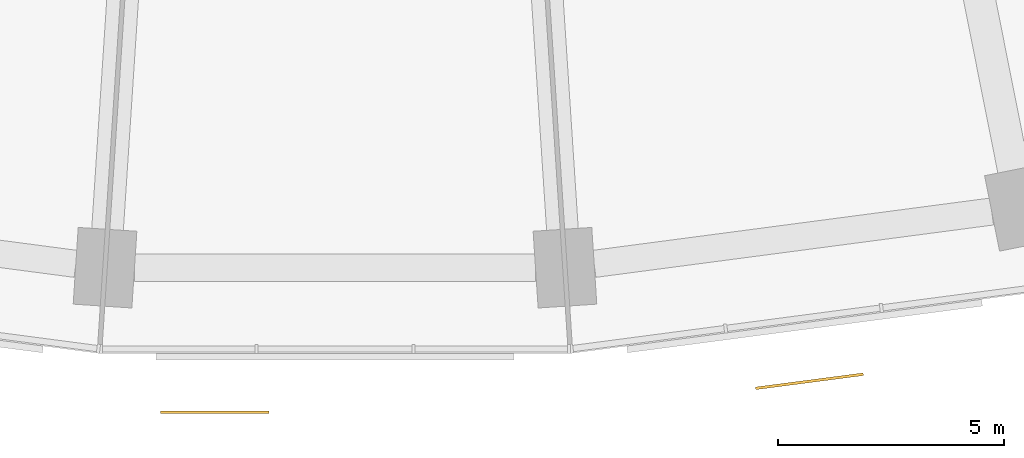
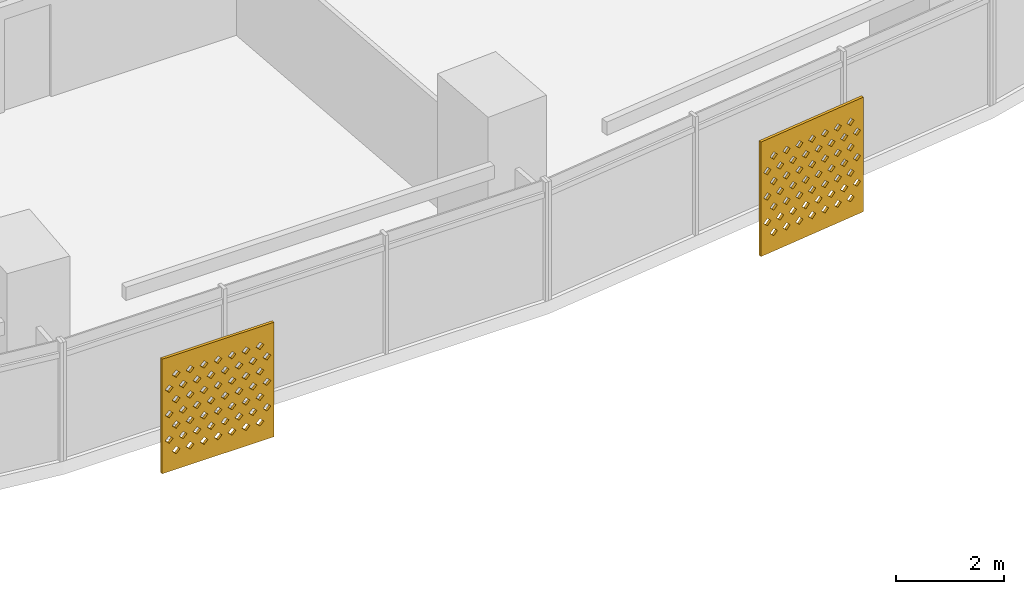
# One storey, part 28 of 31: 2 shading devices.
"""IFC4 building model written with IfcOpenShell, lengths in metres."""

from ifc_helpers import new_model, si_unit, direction, frame, origin, place, context, subcontext, project, spatial, polyline, outline, extrude, material, material_profile, profile_set, type_object, element, save


model = new_model("IFC4")

# Units and contexts
model_context = context("Model", 3, precision=1e-05, world=origin(), true_north=direction((0.0, 1.0)))
body_context = subcontext(model_context, "Body", "Model", "MODEL_VIEW")
ifc_project = project(units=[si_unit("LENGTHUNIT", "METRE"), si_unit("AREAUNIT", "SQUARE_METRE"), si_unit("VOLUMEUNIT", "CUBIC_METRE"), si_unit("PLANEANGLEUNIT", "RADIAN"), si_unit("MASSUNIT", "GRAM", prefix="KILO")], contexts=[model_context])

# Site, building, storey
site_placement = place(None, origin())
site = spatial("IfcSite", under=ifc_project, at=site_placement, CompositionType="ELEMENT")
building_placement = place(site_placement, origin())
building = spatial("IfcBuilding", under=site, at=building_placement, Name="Qamariyya Broadcast Tower", CompositionType="ELEMENT")
storey_placement = place(building_placement, frame((0.0, 0.0, 82.300048828125)))
storey = spatial("IfcBuildingStorey", under=building, at=storey_placement, Name="L17", CompositionType="ELEMENT", Elevation=82.300048828125)

# Shading devices
ifc_material = material(Name="Perforated glazed terracotta", Category="masonry")
ifc_material_profile = material_profile(ifc_material, outline(polyline([(-1.199951171875, -1.300048828125), (1.199951171875, -1.300048828125), (1.199951171875, 1.300048828125), (-1.199951171875, 1.300048828125), (-1.199951171875, -1.300048828125)]), holes=[polyline([(-0.81494140625, -0.86669921875), (-0.89990234375, -0.78173828125), (-0.985107421875, -0.86669921875), (-0.89990234375, -0.95166015625), (-0.81494140625, -0.86669921875)]), polyline([(-0.514892578125, -0.86669921875), (-0.60009765625, -0.78173828125), (-0.68505859375, -0.86669921875), (-0.60009765625, -0.95166015625), (-0.514892578125, -0.86669921875)]), polyline([(-0.215087890625, -0.86669921875), (-0.300048828125, -0.78173828125), (-0.385009765625, -0.86669921875), (-0.300048828125, -0.95166015625), (-0.215087890625, -0.86669921875)]), polyline([(0.0849609375, -0.86669921875), (0.0, -0.78173828125), (-0.0849609375, -0.86669921875), (0.0, -0.95166015625), (0.0849609375, -0.86669921875)]), polyline([(0.385009765625, -0.86669921875), (0.300048828125, -0.78173828125), (0.215087890625, -0.86669921875), (0.300048828125, -0.95166015625), (0.385009765625, -0.86669921875)]), polyline([(0.68505859375, -0.86669921875), (0.60009765625, -0.78173828125), (0.514892578125, -0.86669921875), (0.60009765625, -0.95166015625), (0.68505859375, -0.86669921875)]), polyline([(0.985107421875, -0.86669921875), (0.89990234375, -0.78173828125), (0.81494140625, -0.86669921875), (0.89990234375, -0.95166015625), (0.985107421875, -0.86669921875)]), polyline([(-0.965087890625, -0.577880859375), (-1.050048828125, -0.49267578125), (-1.135009765625, -0.577880859375), (-1.050048828125, -0.662841796875), (-0.965087890625, -0.577880859375)]), polyline([(-0.6650390625, -0.577880859375), (-0.75, -0.49267578125), (-0.8349609375, -0.577880859375), (-0.75, -0.662841796875), (-0.6650390625, -0.577880859375)]), polyline([(-0.364990234375, -0.577880859375), (-0.449951171875, -0.49267578125), (-0.534912109375, -0.577880859375), (-0.449951171875, -0.662841796875), (-0.364990234375, -0.577880859375)]), polyline([(-0.06494140625, -0.577880859375), (-0.14990234375, -0.49267578125), (-0.235107421875, -0.577880859375), (-0.14990234375, -0.662841796875), (-0.06494140625, -0.577880859375)]), polyline([(0.235107421875, -0.577880859375), (0.14990234375, -0.49267578125), (0.06494140625, -0.577880859375), (0.14990234375, -0.662841796875), (0.235107421875, -0.577880859375)]), polyline([(0.534912109375, -0.577880859375), (0.449951171875, -0.49267578125), (0.364990234375, -0.577880859375), (0.449951171875, -0.662841796875), (0.534912109375, -0.577880859375)]), polyline([(0.8349609375, -0.577880859375), (0.75, -0.49267578125), (0.6650390625, -0.577880859375), (0.75, -0.662841796875), (0.8349609375, -0.577880859375)]), polyline([(1.135009765625, -0.577880859375), (1.050048828125, -0.49267578125), (0.965087890625, -0.577880859375), (1.050048828125, -0.662841796875), (1.135009765625, -0.577880859375)]), polyline([(-0.81494140625, -0.288818359375), (-0.89990234375, -0.203857421875), (-0.985107421875, -0.288818359375), (-0.89990234375, -0.373779296875), (-0.81494140625, -0.288818359375)]), polyline([(-0.514892578125, -0.288818359375), (-0.60009765625, -0.203857421875), (-0.68505859375, -0.288818359375), (-0.60009765625, -0.373779296875), (-0.514892578125, -0.288818359375)]), polyline([(-0.215087890625, -0.288818359375), (-0.300048828125, -0.203857421875), (-0.385009765625, -0.288818359375), (-0.300048828125, -0.373779296875), (-0.215087890625, -0.288818359375)]), polyline([(0.0849609375, -0.288818359375), (0.0, -0.203857421875), (-0.0849609375, -0.288818359375), (0.0, -0.373779296875), (0.0849609375, -0.288818359375)]), polyline([(0.385009765625, -0.288818359375), (0.300048828125, -0.203857421875), (0.215087890625, -0.288818359375), (0.300048828125, -0.373779296875), (0.385009765625, -0.288818359375)]), polyline([(0.68505859375, -0.288818359375), (0.60009765625, -0.203857421875), (0.514892578125, -0.288818359375), (0.60009765625, -0.373779296875), (0.68505859375, -0.288818359375)]), polyline([(0.985107421875, -0.288818359375), (0.89990234375, -0.203857421875), (0.81494140625, -0.288818359375), (0.89990234375, -0.373779296875), (0.985107421875, -0.288818359375)]), polyline([(-0.965087890625, 0.0), (-1.050048828125, 0.0849609375), (-1.135009765625, 0.0), (-1.050048828125, -0.0849609375), (-0.965087890625, 0.0)]), polyline([(-0.6650390625, 0.0), (-0.75, 0.0849609375), (-0.8349609375, 0.0), (-0.75, -0.0849609375), (-0.6650390625, 0.0)]), polyline([(-0.364990234375, 0.0), (-0.449951171875, 0.0849609375), (-0.534912109375, 0.0), (-0.449951171875, -0.0849609375), (-0.364990234375, 0.0)]), polyline([(-0.06494140625, 0.0), (-0.14990234375, 0.0849609375), (-0.235107421875, 0.0), (-0.14990234375, -0.0849609375), (-0.06494140625, 0.0)]), polyline([(0.235107421875, 0.0), (0.14990234375, 0.0849609375), (0.06494140625, 0.0), (0.14990234375, -0.0849609375), (0.235107421875, 0.0)]), polyline([(0.534912109375, 0.0), (0.449951171875, 0.0849609375), (0.364990234375, 0.0), (0.449951171875, -0.0849609375), (0.534912109375, 0.0)]), polyline([(0.8349609375, 0.0), (0.75, 0.0849609375), (0.6650390625, 0.0), (0.75, -0.0849609375), (0.8349609375, 0.0)]), polyline([(1.135009765625, 0.0), (1.050048828125, 0.0849609375), (0.965087890625, 0.0), (1.050048828125, -0.0849609375), (1.135009765625, 0.0)]), polyline([(-0.81494140625, 0.288818359375), (-0.89990234375, 0.373779296875), (-0.985107421875, 0.288818359375), (-0.89990234375, 0.203857421875), (-0.81494140625, 0.288818359375)]), polyline([(-0.514892578125, 0.288818359375), (-0.60009765625, 0.373779296875), (-0.68505859375, 0.288818359375), (-0.60009765625, 0.203857421875), (-0.514892578125, 0.288818359375)]), polyline([(-0.215087890625, 0.288818359375), (-0.300048828125, 0.373779296875), (-0.385009765625, 0.288818359375), (-0.300048828125, 0.203857421875), (-0.215087890625, 0.288818359375)]), polyline([(0.0849609375, 0.288818359375), (0.0, 0.373779296875), (-0.0849609375, 0.288818359375), (0.0, 0.203857421875), (0.0849609375, 0.288818359375)]), polyline([(0.385009765625, 0.288818359375), (0.300048828125, 0.373779296875), (0.215087890625, 0.288818359375), (0.300048828125, 0.203857421875), (0.385009765625, 0.288818359375)]), polyline([(0.68505859375, 0.288818359375), (0.60009765625, 0.373779296875), (0.514892578125, 0.288818359375), (0.60009765625, 0.203857421875), (0.68505859375, 0.288818359375)]), polyline([(0.985107421875, 0.288818359375), (0.89990234375, 0.373779296875), (0.81494140625, 0.288818359375), (0.89990234375, 0.203857421875), (0.985107421875, 0.288818359375)]), polyline([(-0.965087890625, 0.577880859375), (-1.050048828125, 0.662841796875), (-1.135009765625, 0.577880859375), (-1.050048828125, 0.49267578125), (-0.965087890625, 0.577880859375)]), polyline([(-0.6650390625, 0.577880859375), (-0.75, 0.662841796875), (-0.8349609375, 0.577880859375), (-0.75, 0.49267578125), (-0.6650390625, 0.577880859375)]), polyline([(-0.364990234375, 0.577880859375), (-0.449951171875, 0.662841796875), (-0.534912109375, 0.577880859375), (-0.449951171875, 0.49267578125), (-0.364990234375, 0.577880859375)]), polyline([(-0.06494140625, 0.577880859375), (-0.14990234375, 0.662841796875), (-0.235107421875, 0.577880859375), (-0.14990234375, 0.49267578125), (-0.06494140625, 0.577880859375)]), polyline([(0.235107421875, 0.577880859375), (0.14990234375, 0.662841796875), (0.06494140625, 0.577880859375), (0.14990234375, 0.49267578125), (0.235107421875, 0.577880859375)]), polyline([(0.534912109375, 0.577880859375), (0.449951171875, 0.662841796875), (0.364990234375, 0.577880859375), (0.449951171875, 0.49267578125), (0.534912109375, 0.577880859375)]), polyline([(0.8349609375, 0.577880859375), (0.75, 0.662841796875), (0.6650390625, 0.577880859375), (0.75, 0.49267578125), (0.8349609375, 0.577880859375)]), polyline([(1.135009765625, 0.577880859375), (1.050048828125, 0.662841796875), (0.965087890625, 0.577880859375), (1.050048828125, 0.49267578125), (1.135009765625, 0.577880859375)]), polyline([(-0.81494140625, 0.86669921875), (-0.89990234375, 0.95166015625), (-0.985107421875, 0.86669921875), (-0.89990234375, 0.78173828125), (-0.81494140625, 0.86669921875)]), polyline([(-0.514892578125, 0.86669921875), (-0.60009765625, 0.95166015625), (-0.68505859375, 0.86669921875), (-0.60009765625, 0.78173828125), (-0.514892578125, 0.86669921875)]), polyline([(-0.215087890625, 0.86669921875), (-0.300048828125, 0.95166015625), (-0.385009765625, 0.86669921875), (-0.300048828125, 0.78173828125), (-0.215087890625, 0.86669921875)]), polyline([(0.0849609375, 0.86669921875), (0.0, 0.95166015625), (-0.0849609375, 0.86669921875), (0.0, 0.78173828125), (0.0849609375, 0.86669921875)]), polyline([(0.385009765625, 0.86669921875), (0.300048828125, 0.95166015625), (0.215087890625, 0.86669921875), (0.300048828125, 0.78173828125), (0.385009765625, 0.86669921875)]), polyline([(0.68505859375, 0.86669921875), (0.60009765625, 0.95166015625), (0.514892578125, 0.86669921875), (0.60009765625, 0.78173828125), (0.68505859375, 0.86669921875)]), polyline([(0.985107421875, 0.86669921875), (0.89990234375, 0.95166015625), (0.81494140625, 0.86669921875), (0.89990234375, 0.78173828125), (0.985107421875, 0.86669921875)])]))
ifc_profile_set = profile_set([ifc_material_profile], Name="Perforated glazed terracotta")
shading_device_type = type_object("IfcShadingDeviceType", Name="Perforated terracotta screen 2400 x 2600", PredefinedType="USERDEFINED", material=ifc_profile_set)
shading_device_1_placement = place(storey_placement, frame((-2.656982421875, -80.74951171875, 1.349853515625), z_axis=(0.0, -1.0, 0.0), x_axis=(1.0, 0.0, 0.0)))
element("IfcShadingDevice", 1, at=shading_device_1_placement, inside=storey, type_object=shading_device_type, Name="e-scr-L17-08-0", ObjectType="SCREEN", PredefinedType="USERDEFINED", context=body_context, shape_type="SweptSolid", body=[
    extrude(outline(polyline([(-1.199951171875, -1.300048828125), (1.199951171875, -1.300048828125), (1.199951171875, 1.300048828125), (-1.199951171875, 1.300048828125), (-1.199951171875, -1.300048828125)]), holes=[polyline([(-0.81494140625, -0.86669921875), (-0.89990234375, -0.78173828125), (-0.985107421875, -0.86669921875), (-0.89990234375, -0.95166015625), (-0.81494140625, -0.86669921875)]), polyline([(-0.514892578125, -0.86669921875), (-0.60009765625, -0.78173828125), (-0.68505859375, -0.86669921875), (-0.60009765625, -0.95166015625), (-0.514892578125, -0.86669921875)]), polyline([(-0.215087890625, -0.86669921875), (-0.300048828125, -0.78173828125), (-0.385009765625, -0.86669921875), (-0.300048828125, -0.95166015625), (-0.215087890625, -0.86669921875)]), polyline([(0.0849609375, -0.86669921875), (0.0, -0.78173828125), (-0.0849609375, -0.86669921875), (0.0, -0.95166015625), (0.0849609375, -0.86669921875)]), polyline([(0.385009765625, -0.86669921875), (0.300048828125, -0.78173828125), (0.215087890625, -0.86669921875), (0.300048828125, -0.95166015625), (0.385009765625, -0.86669921875)]), polyline([(0.68505859375, -0.86669921875), (0.60009765625, -0.78173828125), (0.514892578125, -0.86669921875), (0.60009765625, -0.95166015625), (0.68505859375, -0.86669921875)]), polyline([(0.985107421875, -0.86669921875), (0.89990234375, -0.78173828125), (0.81494140625, -0.86669921875), (0.89990234375, -0.95166015625), (0.985107421875, -0.86669921875)]), polyline([(-0.965087890625, -0.577880859375), (-1.050048828125, -0.49267578125), (-1.135009765625, -0.577880859375), (-1.050048828125, -0.662841796875), (-0.965087890625, -0.577880859375)]), polyline([(-0.6650390625, -0.577880859375), (-0.75, -0.49267578125), (-0.8349609375, -0.577880859375), (-0.75, -0.662841796875), (-0.6650390625, -0.577880859375)]), polyline([(-0.364990234375, -0.577880859375), (-0.449951171875, -0.49267578125), (-0.534912109375, -0.577880859375), (-0.449951171875, -0.662841796875), (-0.364990234375, -0.577880859375)]), polyline([(-0.06494140625, -0.577880859375), (-0.14990234375, -0.49267578125), (-0.235107421875, -0.577880859375), (-0.14990234375, -0.662841796875), (-0.06494140625, -0.577880859375)]), polyline([(0.235107421875, -0.577880859375), (0.14990234375, -0.49267578125), (0.06494140625, -0.577880859375), (0.14990234375, -0.662841796875), (0.235107421875, -0.577880859375)]), polyline([(0.534912109375, -0.577880859375), (0.449951171875, -0.49267578125), (0.364990234375, -0.577880859375), (0.449951171875, -0.662841796875), (0.534912109375, -0.577880859375)]), polyline([(0.8349609375, -0.577880859375), (0.75, -0.49267578125), (0.6650390625, -0.577880859375), (0.75, -0.662841796875), (0.8349609375, -0.577880859375)]), polyline([(1.135009765625, -0.577880859375), (1.050048828125, -0.49267578125), (0.965087890625, -0.577880859375), (1.050048828125, -0.662841796875), (1.135009765625, -0.577880859375)]), polyline([(-0.81494140625, -0.288818359375), (-0.89990234375, -0.203857421875), (-0.985107421875, -0.288818359375), (-0.89990234375, -0.373779296875), (-0.81494140625, -0.288818359375)]), polyline([(-0.514892578125, -0.288818359375), (-0.60009765625, -0.203857421875), (-0.68505859375, -0.288818359375), (-0.60009765625, -0.373779296875), (-0.514892578125, -0.288818359375)]), polyline([(-0.215087890625, -0.288818359375), (-0.300048828125, -0.203857421875), (-0.385009765625, -0.288818359375), (-0.300048828125, -0.373779296875), (-0.215087890625, -0.288818359375)]), polyline([(0.0849609375, -0.288818359375), (0.0, -0.203857421875), (-0.0849609375, -0.288818359375), (0.0, -0.373779296875), (0.0849609375, -0.288818359375)]), polyline([(0.385009765625, -0.288818359375), (0.300048828125, -0.203857421875), (0.215087890625, -0.288818359375), (0.300048828125, -0.373779296875), (0.385009765625, -0.288818359375)]), polyline([(0.68505859375, -0.288818359375), (0.60009765625, -0.203857421875), (0.514892578125, -0.288818359375), (0.60009765625, -0.373779296875), (0.68505859375, -0.288818359375)]), polyline([(0.985107421875, -0.288818359375), (0.89990234375, -0.203857421875), (0.81494140625, -0.288818359375), (0.89990234375, -0.373779296875), (0.985107421875, -0.288818359375)]), polyline([(-0.965087890625, 0.0), (-1.050048828125, 0.0849609375), (-1.135009765625, 0.0), (-1.050048828125, -0.0849609375), (-0.965087890625, 0.0)]), polyline([(-0.6650390625, 0.0), (-0.75, 0.0849609375), (-0.8349609375, 0.0), (-0.75, -0.0849609375), (-0.6650390625, 0.0)]), polyline([(-0.364990234375, 0.0), (-0.449951171875, 0.0849609375), (-0.534912109375, 0.0), (-0.449951171875, -0.0849609375), (-0.364990234375, 0.0)]), polyline([(-0.06494140625, 0.0), (-0.14990234375, 0.0849609375), (-0.235107421875, 0.0), (-0.14990234375, -0.0849609375), (-0.06494140625, 0.0)]), polyline([(0.235107421875, 0.0), (0.14990234375, 0.0849609375), (0.06494140625, 0.0), (0.14990234375, -0.0849609375), (0.235107421875, 0.0)]), polyline([(0.534912109375, 0.0), (0.449951171875, 0.0849609375), (0.364990234375, 0.0), (0.449951171875, -0.0849609375), (0.534912109375, 0.0)]), polyline([(0.8349609375, 0.0), (0.75, 0.0849609375), (0.6650390625, 0.0), (0.75, -0.0849609375), (0.8349609375, 0.0)]), polyline([(1.135009765625, 0.0), (1.050048828125, 0.0849609375), (0.965087890625, 0.0), (1.050048828125, -0.0849609375), (1.135009765625, 0.0)]), polyline([(-0.81494140625, 0.288818359375), (-0.89990234375, 0.373779296875), (-0.985107421875, 0.288818359375), (-0.89990234375, 0.203857421875), (-0.81494140625, 0.288818359375)]), polyline([(-0.514892578125, 0.288818359375), (-0.60009765625, 0.373779296875), (-0.68505859375, 0.288818359375), (-0.60009765625, 0.203857421875), (-0.514892578125, 0.288818359375)]), polyline([(-0.215087890625, 0.288818359375), (-0.300048828125, 0.373779296875), (-0.385009765625, 0.288818359375), (-0.300048828125, 0.203857421875), (-0.215087890625, 0.288818359375)]), polyline([(0.0849609375, 0.288818359375), (0.0, 0.373779296875), (-0.0849609375, 0.288818359375), (0.0, 0.203857421875), (0.0849609375, 0.288818359375)]), polyline([(0.385009765625, 0.288818359375), (0.300048828125, 0.373779296875), (0.215087890625, 0.288818359375), (0.300048828125, 0.203857421875), (0.385009765625, 0.288818359375)]), polyline([(0.68505859375, 0.288818359375), (0.60009765625, 0.373779296875), (0.514892578125, 0.288818359375), (0.60009765625, 0.203857421875), (0.68505859375, 0.288818359375)]), polyline([(0.985107421875, 0.288818359375), (0.89990234375, 0.373779296875), (0.81494140625, 0.288818359375), (0.89990234375, 0.203857421875), (0.985107421875, 0.288818359375)]), polyline([(-0.965087890625, 0.577880859375), (-1.050048828125, 0.662841796875), (-1.135009765625, 0.577880859375), (-1.050048828125, 0.49267578125), (-0.965087890625, 0.577880859375)]), polyline([(-0.6650390625, 0.577880859375), (-0.75, 0.662841796875), (-0.8349609375, 0.577880859375), (-0.75, 0.49267578125), (-0.6650390625, 0.577880859375)]), polyline([(-0.364990234375, 0.577880859375), (-0.449951171875, 0.662841796875), (-0.534912109375, 0.577880859375), (-0.449951171875, 0.49267578125), (-0.364990234375, 0.577880859375)]), polyline([(-0.06494140625, 0.577880859375), (-0.14990234375, 0.662841796875), (-0.235107421875, 0.577880859375), (-0.14990234375, 0.49267578125), (-0.06494140625, 0.577880859375)]), polyline([(0.235107421875, 0.577880859375), (0.14990234375, 0.662841796875), (0.06494140625, 0.577880859375), (0.14990234375, 0.49267578125), (0.235107421875, 0.577880859375)]), polyline([(0.534912109375, 0.577880859375), (0.449951171875, 0.662841796875), (0.364990234375, 0.577880859375), (0.449951171875, 0.49267578125), (0.534912109375, 0.577880859375)]), polyline([(0.8349609375, 0.577880859375), (0.75, 0.662841796875), (0.6650390625, 0.577880859375), (0.75, 0.49267578125), (0.8349609375, 0.577880859375)]), polyline([(1.135009765625, 0.577880859375), (1.050048828125, 0.662841796875), (0.965087890625, 0.577880859375), (1.050048828125, 0.49267578125), (1.135009765625, 0.577880859375)]), polyline([(-0.81494140625, 0.86669921875), (-0.89990234375, 0.95166015625), (-0.985107421875, 0.86669921875), (-0.89990234375, 0.78173828125), (-0.81494140625, 0.86669921875)]), polyline([(-0.514892578125, 0.86669921875), (-0.60009765625, 0.95166015625), (-0.68505859375, 0.86669921875), (-0.60009765625, 0.78173828125), (-0.514892578125, 0.86669921875)]), polyline([(-0.215087890625, 0.86669921875), (-0.300048828125, 0.95166015625), (-0.385009765625, 0.86669921875), (-0.300048828125, 0.78173828125), (-0.215087890625, 0.86669921875)]), polyline([(0.0849609375, 0.86669921875), (0.0, 0.95166015625), (-0.0849609375, 0.86669921875), (0.0, 0.78173828125), (0.0849609375, 0.86669921875)]), polyline([(0.385009765625, 0.86669921875), (0.300048828125, 0.95166015625), (0.215087890625, 0.86669921875), (0.300048828125, 0.78173828125), (0.385009765625, 0.86669921875)]), polyline([(0.68505859375, 0.86669921875), (0.60009765625, 0.95166015625), (0.514892578125, 0.86669921875), (0.60009765625, 0.78173828125), (0.68505859375, 0.86669921875)]), polyline([(0.985107421875, 0.86669921875), (0.89990234375, 0.95166015625), (0.81494140625, 0.86669921875), (0.89990234375, 0.78173828125), (0.985107421875, 0.86669921875)])]), origin(), (0.0, 0.0, 1.0), 0.06005859375),
])
shading_device_2_placement = place(storey_placement, frame((10.488037109375, -80.0654296875, 1.349853515625), z_axis=(0.1300340368, -0.991509530601, 0.0), x_axis=(0.991509530601, 0.1300340368, 0.0)))
element("IfcShadingDevice", 2, at=shading_device_2_placement, inside=storey, type_object=shading_device_type, Name="e-scr-L17-09-1", ObjectType="SCREEN", PredefinedType="USERDEFINED", context=body_context, shape_type="SweptSolid", body=[
    extrude(outline(polyline([(-1.199951171875, -1.300048828125), (1.199951171875, -1.300048828125), (1.199951171875, 1.300048828125), (-1.199951171875, 1.300048828125), (-1.199951171875, -1.300048828125)]), holes=[polyline([(-0.81494140625, -0.86669921875), (-0.89990234375, -0.78173828125), (-0.985107421875, -0.86669921875), (-0.89990234375, -0.95166015625), (-0.81494140625, -0.86669921875)]), polyline([(-0.514892578125, -0.86669921875), (-0.60009765625, -0.78173828125), (-0.68505859375, -0.86669921875), (-0.60009765625, -0.95166015625), (-0.514892578125, -0.86669921875)]), polyline([(-0.215087890625, -0.86669921875), (-0.300048828125, -0.78173828125), (-0.385009765625, -0.86669921875), (-0.300048828125, -0.95166015625), (-0.215087890625, -0.86669921875)]), polyline([(0.0849609375, -0.86669921875), (0.0, -0.78173828125), (-0.0849609375, -0.86669921875), (0.0, -0.95166015625), (0.0849609375, -0.86669921875)]), polyline([(0.385009765625, -0.86669921875), (0.300048828125, -0.78173828125), (0.215087890625, -0.86669921875), (0.300048828125, -0.95166015625), (0.385009765625, -0.86669921875)]), polyline([(0.68505859375, -0.86669921875), (0.60009765625, -0.78173828125), (0.514892578125, -0.86669921875), (0.60009765625, -0.95166015625), (0.68505859375, -0.86669921875)]), polyline([(0.985107421875, -0.86669921875), (0.89990234375, -0.78173828125), (0.81494140625, -0.86669921875), (0.89990234375, -0.95166015625), (0.985107421875, -0.86669921875)]), polyline([(-0.965087890625, -0.577880859375), (-1.050048828125, -0.49267578125), (-1.135009765625, -0.577880859375), (-1.050048828125, -0.662841796875), (-0.965087890625, -0.577880859375)]), polyline([(-0.6650390625, -0.577880859375), (-0.75, -0.49267578125), (-0.8349609375, -0.577880859375), (-0.75, -0.662841796875), (-0.6650390625, -0.577880859375)]), polyline([(-0.364990234375, -0.577880859375), (-0.449951171875, -0.49267578125), (-0.534912109375, -0.577880859375), (-0.449951171875, -0.662841796875), (-0.364990234375, -0.577880859375)]), polyline([(-0.06494140625, -0.577880859375), (-0.14990234375, -0.49267578125), (-0.235107421875, -0.577880859375), (-0.14990234375, -0.662841796875), (-0.06494140625, -0.577880859375)]), polyline([(0.235107421875, -0.577880859375), (0.14990234375, -0.49267578125), (0.06494140625, -0.577880859375), (0.14990234375, -0.662841796875), (0.235107421875, -0.577880859375)]), polyline([(0.534912109375, -0.577880859375), (0.449951171875, -0.49267578125), (0.364990234375, -0.577880859375), (0.449951171875, -0.662841796875), (0.534912109375, -0.577880859375)]), polyline([(0.8349609375, -0.577880859375), (0.75, -0.49267578125), (0.6650390625, -0.577880859375), (0.75, -0.662841796875), (0.8349609375, -0.577880859375)]), polyline([(1.135009765625, -0.577880859375), (1.050048828125, -0.49267578125), (0.965087890625, -0.577880859375), (1.050048828125, -0.662841796875), (1.135009765625, -0.577880859375)]), polyline([(-0.81494140625, -0.288818359375), (-0.89990234375, -0.203857421875), (-0.985107421875, -0.288818359375), (-0.89990234375, -0.373779296875), (-0.81494140625, -0.288818359375)]), polyline([(-0.514892578125, -0.288818359375), (-0.60009765625, -0.203857421875), (-0.68505859375, -0.288818359375), (-0.60009765625, -0.373779296875), (-0.514892578125, -0.288818359375)]), polyline([(-0.215087890625, -0.288818359375), (-0.300048828125, -0.203857421875), (-0.385009765625, -0.288818359375), (-0.300048828125, -0.373779296875), (-0.215087890625, -0.288818359375)]), polyline([(0.0849609375, -0.288818359375), (0.0, -0.203857421875), (-0.0849609375, -0.288818359375), (0.0, -0.373779296875), (0.0849609375, -0.288818359375)]), polyline([(0.385009765625, -0.288818359375), (0.300048828125, -0.203857421875), (0.215087890625, -0.288818359375), (0.300048828125, -0.373779296875), (0.385009765625, -0.288818359375)]), polyline([(0.68505859375, -0.288818359375), (0.60009765625, -0.203857421875), (0.514892578125, -0.288818359375), (0.60009765625, -0.373779296875), (0.68505859375, -0.288818359375)]), polyline([(0.985107421875, -0.288818359375), (0.89990234375, -0.203857421875), (0.81494140625, -0.288818359375), (0.89990234375, -0.373779296875), (0.985107421875, -0.288818359375)]), polyline([(-0.965087890625, 0.0), (-1.050048828125, 0.0849609375), (-1.135009765625, 0.0), (-1.050048828125, -0.0849609375), (-0.965087890625, 0.0)]), polyline([(-0.6650390625, 0.0), (-0.75, 0.0849609375), (-0.8349609375, 0.0), (-0.75, -0.0849609375), (-0.6650390625, 0.0)]), polyline([(-0.364990234375, 0.0), (-0.449951171875, 0.0849609375), (-0.534912109375, 0.0), (-0.449951171875, -0.0849609375), (-0.364990234375, 0.0)]), polyline([(-0.06494140625, 0.0), (-0.14990234375, 0.0849609375), (-0.235107421875, 0.0), (-0.14990234375, -0.0849609375), (-0.06494140625, 0.0)]), polyline([(0.235107421875, 0.0), (0.14990234375, 0.0849609375), (0.06494140625, 0.0), (0.14990234375, -0.0849609375), (0.235107421875, 0.0)]), polyline([(0.534912109375, 0.0), (0.449951171875, 0.0849609375), (0.364990234375, 0.0), (0.449951171875, -0.0849609375), (0.534912109375, 0.0)]), polyline([(0.8349609375, 0.0), (0.75, 0.0849609375), (0.6650390625, 0.0), (0.75, -0.0849609375), (0.8349609375, 0.0)]), polyline([(1.135009765625, 0.0), (1.050048828125, 0.0849609375), (0.965087890625, 0.0), (1.050048828125, -0.0849609375), (1.135009765625, 0.0)]), polyline([(-0.81494140625, 0.288818359375), (-0.89990234375, 0.373779296875), (-0.985107421875, 0.288818359375), (-0.89990234375, 0.203857421875), (-0.81494140625, 0.288818359375)]), polyline([(-0.514892578125, 0.288818359375), (-0.60009765625, 0.373779296875), (-0.68505859375, 0.288818359375), (-0.60009765625, 0.203857421875), (-0.514892578125, 0.288818359375)]), polyline([(-0.215087890625, 0.288818359375), (-0.300048828125, 0.373779296875), (-0.385009765625, 0.288818359375), (-0.300048828125, 0.203857421875), (-0.215087890625, 0.288818359375)]), polyline([(0.0849609375, 0.288818359375), (0.0, 0.373779296875), (-0.0849609375, 0.288818359375), (0.0, 0.203857421875), (0.0849609375, 0.288818359375)]), polyline([(0.385009765625, 0.288818359375), (0.300048828125, 0.373779296875), (0.215087890625, 0.288818359375), (0.300048828125, 0.203857421875), (0.385009765625, 0.288818359375)]), polyline([(0.68505859375, 0.288818359375), (0.60009765625, 0.373779296875), (0.514892578125, 0.288818359375), (0.60009765625, 0.203857421875), (0.68505859375, 0.288818359375)]), polyline([(0.985107421875, 0.288818359375), (0.89990234375, 0.373779296875), (0.81494140625, 0.288818359375), (0.89990234375, 0.203857421875), (0.985107421875, 0.288818359375)]), polyline([(-0.965087890625, 0.577880859375), (-1.050048828125, 0.662841796875), (-1.135009765625, 0.577880859375), (-1.050048828125, 0.49267578125), (-0.965087890625, 0.577880859375)]), polyline([(-0.6650390625, 0.577880859375), (-0.75, 0.662841796875), (-0.8349609375, 0.577880859375), (-0.75, 0.49267578125), (-0.6650390625, 0.577880859375)]), polyline([(-0.364990234375, 0.577880859375), (-0.449951171875, 0.662841796875), (-0.534912109375, 0.577880859375), (-0.449951171875, 0.49267578125), (-0.364990234375, 0.577880859375)]), polyline([(-0.06494140625, 0.577880859375), (-0.14990234375, 0.662841796875), (-0.235107421875, 0.577880859375), (-0.14990234375, 0.49267578125), (-0.06494140625, 0.577880859375)]), polyline([(0.235107421875, 0.577880859375), (0.14990234375, 0.662841796875), (0.06494140625, 0.577880859375), (0.14990234375, 0.49267578125), (0.235107421875, 0.577880859375)]), polyline([(0.534912109375, 0.577880859375), (0.449951171875, 0.662841796875), (0.364990234375, 0.577880859375), (0.449951171875, 0.49267578125), (0.534912109375, 0.577880859375)]), polyline([(0.8349609375, 0.577880859375), (0.75, 0.662841796875), (0.6650390625, 0.577880859375), (0.75, 0.49267578125), (0.8349609375, 0.577880859375)]), polyline([(1.135009765625, 0.577880859375), (1.050048828125, 0.662841796875), (0.965087890625, 0.577880859375), (1.050048828125, 0.49267578125), (1.135009765625, 0.577880859375)]), polyline([(-0.81494140625, 0.86669921875), (-0.89990234375, 0.95166015625), (-0.985107421875, 0.86669921875), (-0.89990234375, 0.78173828125), (-0.81494140625, 0.86669921875)]), polyline([(-0.514892578125, 0.86669921875), (-0.60009765625, 0.95166015625), (-0.68505859375, 0.86669921875), (-0.60009765625, 0.78173828125), (-0.514892578125, 0.86669921875)]), polyline([(-0.215087890625, 0.86669921875), (-0.300048828125, 0.95166015625), (-0.385009765625, 0.86669921875), (-0.300048828125, 0.78173828125), (-0.215087890625, 0.86669921875)]), polyline([(0.0849609375, 0.86669921875), (0.0, 0.95166015625), (-0.0849609375, 0.86669921875), (0.0, 0.78173828125), (0.0849609375, 0.86669921875)]), polyline([(0.385009765625, 0.86669921875), (0.300048828125, 0.95166015625), (0.215087890625, 0.86669921875), (0.300048828125, 0.78173828125), (0.385009765625, 0.86669921875)]), polyline([(0.68505859375, 0.86669921875), (0.60009765625, 0.95166015625), (0.514892578125, 0.86669921875), (0.60009765625, 0.78173828125), (0.68505859375, 0.86669921875)]), polyline([(0.985107421875, 0.86669921875), (0.89990234375, 0.95166015625), (0.81494140625, 0.86669921875), (0.89990234375, 0.78173828125), (0.985107421875, 0.86669921875)])]), origin(), (0.0, 0.0, 1.0), 0.06005859375),
])

save(model, "model.ifc")
